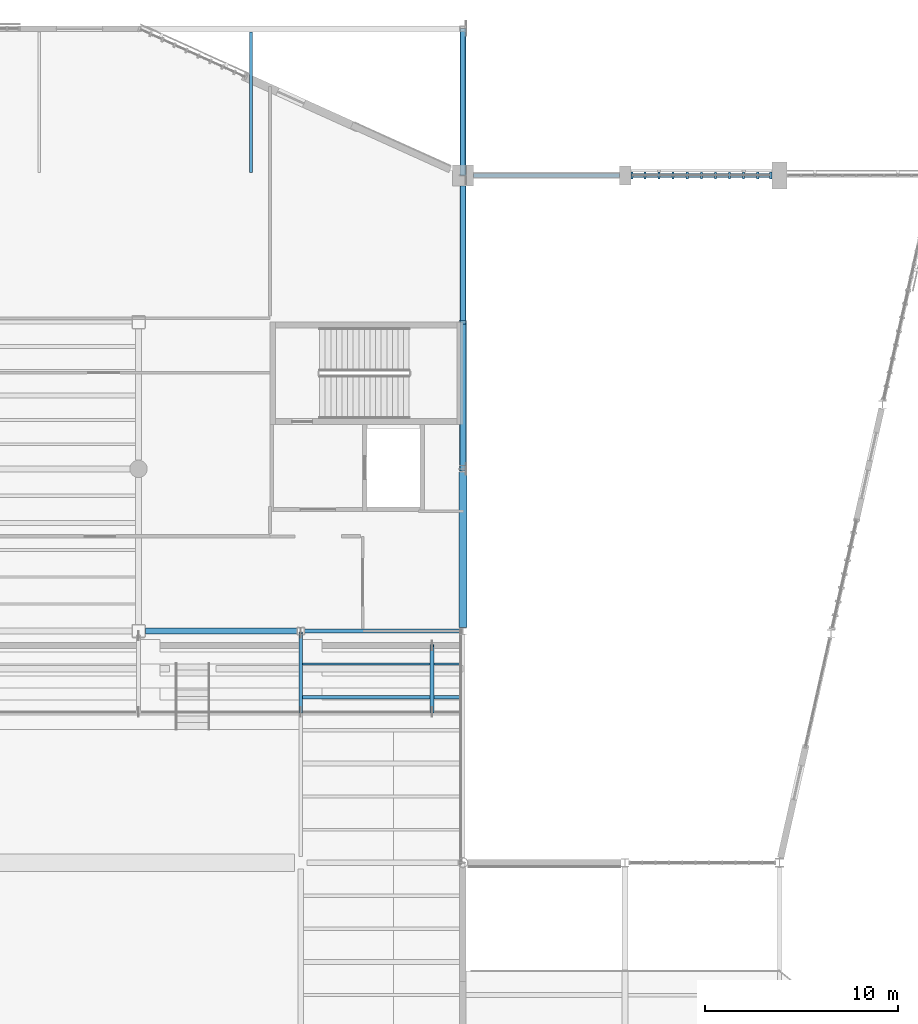
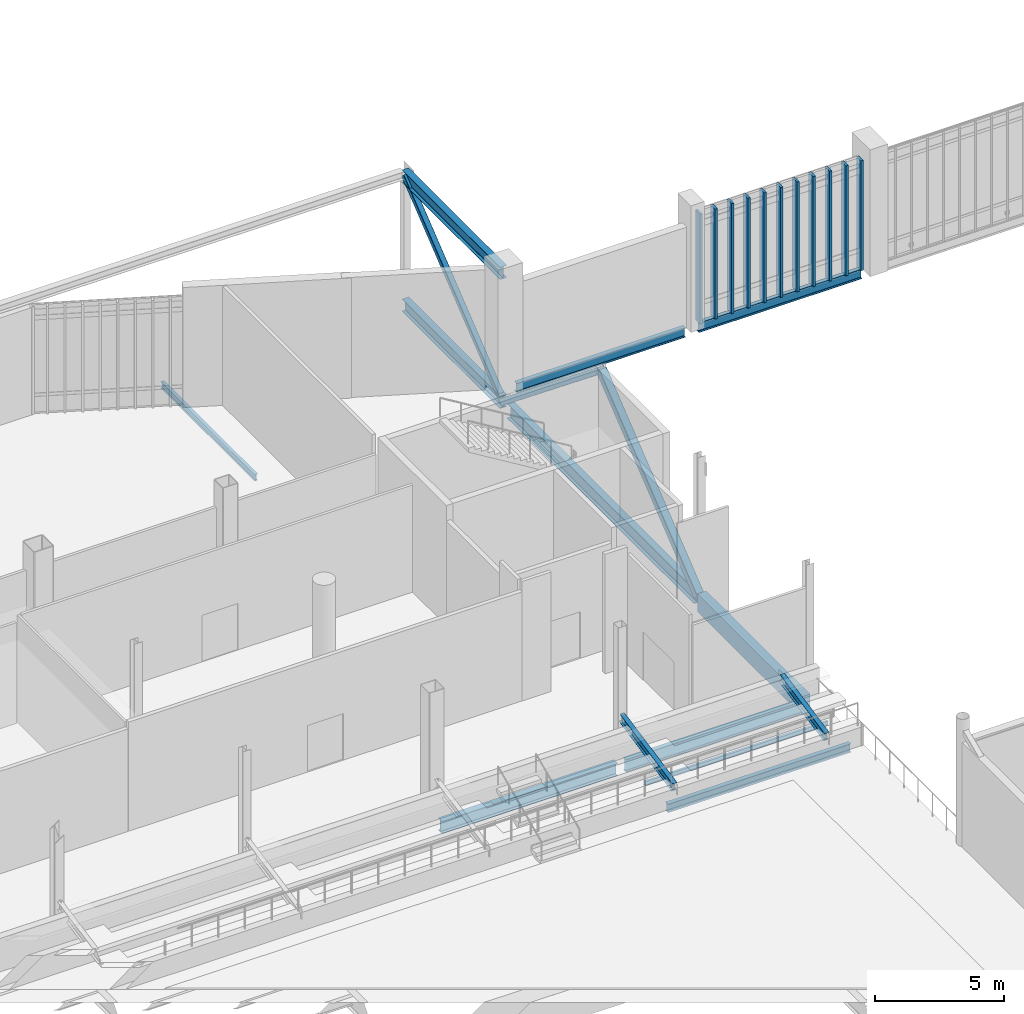
# One storey, part 33 of 135: 16 members, 11 beams, 1 element without a shape of its own.
"""IFC4 building model written with IfcOpenShell, lengths in metres."""

from ifc_helpers import new_model, si_unit, direction, frame, origin, origin_2d, place, context, subcontext, project, spatial, rectangle, hollow_rectangle, i_section, extrude, material, material_profile, profile_set, type_object, element, aggregate, save


model = new_model("IFC4")

# Units and contexts
model_context = context("Model", 3, precision=1e-05, world=origin(), true_north=direction((0.0, 1.0)))
body_context = subcontext(model_context, "Body", "Model", "MODEL_VIEW")
ifc_project = project(units=[si_unit("LENGTHUNIT", "METRE"), si_unit("AREAUNIT", "SQUARE_METRE"), si_unit("VOLUMEUNIT", "CUBIC_METRE"), si_unit("PLANEANGLEUNIT", "RADIAN"), si_unit("MASSUNIT", "GRAM", prefix="KILO")], contexts=[model_context])

# Site, building, storey
site_placement = place(None, origin())
site = spatial("IfcSite", under=ifc_project, at=site_placement, CompositionType="ELEMENT")
building_placement = place(site_placement, origin())
building = spatial("IfcBuilding", under=site, at=building_placement, Name="Larkvane Passage Sports Hall", CompositionType="ELEMENT")
storey_placement = place(building_placement, frame((0.0, 0.0, 10.800048828125)))
storey = spatial("IfcBuildingStorey", under=building, at=storey_placement, Name="L02", CompositionType="ELEMENT", Elevation=10.800048828125)

# Beams
ifc_material_1 = material(Name="Steel S460N", Category="steel")
ifc_material_profile_1 = material_profile(ifc_material_1, i_section(OverallWidth=0.300048828125, OverallDepth=0.587890625, WebThickness=0.011962890625, FlangeThickness=0.02001953125, FilletRadius=0.02197265625, at=origin_2d()), Name="H-588x300x12x20")
ifc_profile_set_1 = profile_set([ifc_material_profile_1], Name="Steel S460N")
beam_type_1 = type_object("IfcBeamType", Name="BM-STL-H588", PredefinedType="BEAM", material=ifc_profile_set_1)
beam_1_placement = place(storey_placement, frame((77.14990234375, 75.60009765625, -0.714111328125), z_axis=(1.0, 0.0, 0.0), x_axis=(0.0, 1.0, 0.0)))
element("IfcBeam", 1, at=beam_1_placement, inside=storey, type_object=beam_type_1, Name="Girder BM5-X-L02-J-0721", PredefinedType="BEAM", context=body_context, shape_type="SweptSolid", body=[
    extrude(i_section(OverallWidth=0.300048828125, OverallDepth=0.587890625, WebThickness=0.011962890625, FlangeThickness=0.02001953125, FilletRadius=0.02197265625, at=origin_2d()), origin(), (0.0, 0.0, 1.0), 7.85009765625),
])
for number, where, z_axis, x_axis, name in (
    (2, (93.60009765625, 99.199951171875, -0.714111328125), (0.0, 1.0, 0.0), (-1.0, 0.0, 0.0), "Cantilever truss CT-N2A-2 bottom chord 3"),
    (3, (93.60009765625, 99.199951171875, 5.385986328125), (0.0, 1.0, 0.0), (-1.0, 0.0, 0.0), "Cantilever truss CT-N2A-2 top chord 3"),
):
    element("IfcBeam", number, at=place(storey_placement, frame(where, z_axis=z_axis, x_axis=x_axis)), inside=storey, type_object=beam_type_1, Name=name, PredefinedType="BEAM", context=body_context, shape_type="SweptSolid", body=[
        extrude(i_section(OverallWidth=0.300048828125, OverallDepth=0.587890625, WebThickness=0.011962890625, FlangeThickness=0.02001953125, FilletRadius=0.02197265625, at=origin_2d()), origin(), (0.0, 0.0, 1.0), 7.60009765625),
    ])
ifc_material_2 = material(Name="Steel S355JR", Category="steel")
ifc_material_profile_2 = material_profile(ifc_material_2, i_section(OverallWidth=0.199951171875, OverallDepth=0.60009765625, WebThickness=0.010986328125, FlangeThickness=0.01708984375, FilletRadius=0.01806640625, at=origin_2d()), Name="H-600x200x11x17")
ifc_profile_set_2 = profile_set([ifc_material_profile_2], Name="Steel S355JR")
beam_type_2 = type_object("IfcBeamType", Name="BM-STL-H600", PredefinedType="BEAM", material=ifc_profile_set_2)
beam_2_placement = place(storey_placement, frame((85.39990234375, 75.60009765625, -0.719970703125), z_axis=(1.0, 0.0, 0.0), x_axis=(0.0, 1.0, 0.0)))
element("IfcBeam", 4, at=beam_2_placement, inside=storey, type_object=beam_type_2, Name="Girder BM5-X-L02-J-0722", PredefinedType="BEAM", context=body_context, shape_type="SweptSolid", body=[
    extrude(i_section(OverallWidth=0.199951171875, OverallDepth=0.60009765625, WebThickness=0.010986328125, FlangeThickness=0.01708984375, FilletRadius=0.01806640625, at=origin_2d()), origin(), (0.0, 0.0, 1.0), 8.025146484375),
])
ifc_material_profile_3 = material_profile(ifc_material_1, i_section(OverallWidth=0.300048828125, OverallDepth=0.699951171875, WebThickness=0.012939453125, FlangeThickness=0.02392578125, FilletRadius=0.02197265625, at=origin_2d()), Name="H-700x300x13x24")
ifc_profile_set_3 = profile_set([ifc_material_profile_3], Name="Steel S460N")
beam_type_3 = type_object("IfcBeamType", Name="BM-STL-H700", PredefinedType="BEAM", material=ifc_profile_set_3)
beam_3_placement = place(storey_placement, frame((93.60009765625, 84.175048828125, -0.77001953125), z_axis=(0.0, 1.0, 0.0), x_axis=(-1.0, 0.0, 0.0)))
element("IfcBeam", 5, at=beam_3_placement, inside=storey, type_object=beam_type_3, Name="Girder BM5-Y-L02-13-0775", PredefinedType="BEAM", context=body_context, shape_type="SweptSolid", body=[
    extrude(i_section(OverallWidth=0.300048828125, OverallDepth=0.699951171875, WebThickness=0.012939453125, FlangeThickness=0.02392578125, FilletRadius=0.02197265625, at=origin_2d()), origin(), (0.0, 0.0, 1.0), 14.474853515625),
])

# Curtain wall, members
ifc_material_3 = material(Name="Thermally broken aluminium and low-E glazing", Category="aluminium")
curtain_wall_type = type_object("IfcCurtainWallType", Name="CW-CLINIC", PredefinedType="USERDEFINED", material=ifc_material_3)
curtain_wall_placement = place(storey_placement, origin())
curtain_wall = element("IfcCurtainWall", 6, at=curtain_wall_placement, inside=storey, type_object=curtain_wall_type, Name="Curtain wall CW5-L02-079", ObjectType="UNITISED CURTAIN WALL", PredefinedType="USERDEFINED")
ifc_material_4 = material(Name="Anodised aluminium 6063-T6", Category="aluminium")
ifc_material_profile_4 = material_profile(ifc_material_4, rectangle(XDim=0.110107421875, YDim=0.360107421875, at=origin_2d()), Name="ALU-MUL-110x360")
ifc_profile_set_4 = profile_set([ifc_material_profile_4], Name="Anodised aluminium 6063-T6")
member_type_1 = type_object("IfcMemberType", Name="CW-MUL-110x360", PredefinedType="MULLION", material=ifc_profile_set_4)
member_1_placement = place(storey_placement, frame((102.35107421875, 99.199951171875, 0.0), z_axis=(0.0, 0.0, 1.0), x_axis=(1.0, 0.0, 0.0)))
member_1 = element("IfcMember", 7, at=member_1_placement, type_object=member_type_1, Name="CW-05 mullion 1", PredefinedType="MULLION", context=body_context, shape_type="SweptSolid", body=[
    extrude(rectangle(XDim=0.110107421875, YDim=0.360107421875, at=origin_2d()), origin(), (0.0, 0.0, 1.0), 5.197998046875),
])
member_2_placement = place(storey_placement, frame((103.02685546875, 99.199951171875, 0.0), z_axis=(0.0, 0.0, 1.0), x_axis=(1.0, 0.0, 0.0)))
member_2 = element("IfcMember", 8, at=member_2_placement, type_object=member_type_1, Name="CW-05 mullion 2", PredefinedType="MULLION", context=body_context, shape_type="SweptSolid", body=[
    extrude(rectangle(XDim=0.110107421875, YDim=0.360107421875, at=origin_2d()), origin(), (0.0, 0.0, 1.0), 5.197998046875),
])
member_3_placement = place(storey_placement, frame((103.757568359375, 99.199951171875, 0.0), z_axis=(0.0, 0.0, 1.0), x_axis=(1.0, 0.0, 0.0)))
member_3 = element("IfcMember", 9, at=member_3_placement, type_object=member_type_1, Name="CW-05 mullion 3", PredefinedType="MULLION", context=body_context, shape_type="SweptSolid", body=[
    extrude(rectangle(XDim=0.110107421875, YDim=0.360107421875, at=origin_2d()), origin(), (0.0, 0.0, 1.0), 5.197998046875),
])
member_4_placement = place(storey_placement, frame((104.48828125, 99.199951171875, 0.0), z_axis=(0.0, 0.0, 1.0), x_axis=(1.0, 0.0, 0.0)))
member_4 = element("IfcMember", 10, at=member_4_placement, type_object=member_type_1, Name="CW-05 mullion 4", PredefinedType="MULLION", context=body_context, shape_type="SweptSolid", body=[
    extrude(rectangle(XDim=0.110107421875, YDim=0.360107421875, at=origin_2d()), origin(), (0.0, 0.0, 1.0), 5.197998046875),
])
member_5_placement = place(storey_placement, frame((105.21923828125, 99.199951171875, 0.0), z_axis=(0.0, 0.0, 1.0), x_axis=(1.0, 0.0, 0.0)))
member_5 = element("IfcMember", 11, at=member_5_placement, type_object=member_type_1, Name="CW-05 mullion 5", PredefinedType="MULLION", context=body_context, shape_type="SweptSolid", body=[
    extrude(rectangle(XDim=0.110107421875, YDim=0.360107421875, at=origin_2d()), origin(), (0.0, 0.0, 1.0), 5.197998046875),
])
member_6_placement = place(storey_placement, frame((105.949951171875, 99.199951171875, 0.0), z_axis=(0.0, 0.0, 1.0), x_axis=(1.0, 0.0, 0.0)))
member_6 = element("IfcMember", 12, at=member_6_placement, type_object=member_type_1, Name="CW-05 mullion 6", PredefinedType="MULLION", context=body_context, shape_type="SweptSolid", body=[
    extrude(rectangle(XDim=0.110107421875, YDim=0.360107421875, at=origin_2d()), origin(), (0.0, 0.0, 1.0), 5.197998046875),
])
member_7_placement = place(storey_placement, frame((106.680908203125, 99.199951171875, 0.0), z_axis=(0.0, 0.0, 1.0), x_axis=(1.0, 0.0, 0.0)))
member_7 = element("IfcMember", 13, at=member_7_placement, type_object=member_type_1, Name="CW-05 mullion 7", PredefinedType="MULLION", context=body_context, shape_type="SweptSolid", body=[
    extrude(rectangle(XDim=0.110107421875, YDim=0.360107421875, at=origin_2d()), origin(), (0.0, 0.0, 1.0), 5.197998046875),
])
member_8_placement = place(storey_placement, frame((107.41162109375, 99.199951171875, 0.0), z_axis=(0.0, 0.0, 1.0), x_axis=(1.0, 0.0, 0.0)))
member_8 = element("IfcMember", 14, at=member_8_placement, type_object=member_type_1, Name="CW-05 mullion 8", PredefinedType="MULLION", context=body_context, shape_type="SweptSolid", body=[
    extrude(rectangle(XDim=0.110107421875, YDim=0.360107421875, at=origin_2d()), origin(), (0.0, 0.0, 1.0), 5.197998046875),
])
member_9_placement = place(storey_placement, frame((108.142333984375, 99.199951171875, 0.0), z_axis=(0.0, 0.0, 1.0), x_axis=(1.0, 0.0, 0.0)))
member_9 = element("IfcMember", 15, at=member_9_placement, type_object=member_type_1, Name="CW-05 mullion 9", PredefinedType="MULLION", context=body_context, shape_type="SweptSolid", body=[
    extrude(rectangle(XDim=0.110107421875, YDim=0.360107421875, at=origin_2d()), origin(), (0.0, 0.0, 1.0), 5.197998046875),
])
member_10_placement = place(storey_placement, frame((108.873291015625, 99.199951171875, 0.0), z_axis=(0.0, 0.0, 1.0), x_axis=(1.0, 0.0, 0.0)))
member_10 = element("IfcMember", 16, at=member_10_placement, type_object=member_type_1, Name="CW-05 mullion 10", PredefinedType="MULLION", context=body_context, shape_type="SweptSolid", body=[
    extrude(rectangle(XDim=0.110107421875, YDim=0.360107421875, at=origin_2d()), origin(), (0.0, 0.0, 1.0), 5.197998046875),
])
member_11_placement = place(storey_placement, frame((109.549072265625, 99.199951171875, 0.0), z_axis=(0.0, 0.0, 1.0), x_axis=(1.0, 0.0, 0.0)))
member_11 = element("IfcMember", 17, at=member_11_placement, type_object=member_type_1, Name="CW-05 mullion 11", PredefinedType="MULLION", context=body_context, shape_type="SweptSolid", body=[
    extrude(rectangle(XDim=0.110107421875, YDim=0.360107421875, at=origin_2d()), origin(), (0.0, 0.0, 1.0), 5.197998046875),
])
aggregate(curtain_wall, [member_1, member_2, member_3, member_4, member_5, member_6, member_7, member_8, member_9, member_10, member_11])

# Beams
ifc_material_profile_5 = material_profile(ifc_material_2, i_section(OverallWidth=0.10009765625, OverallDepth=0.199951171875, WebThickness=0.005615234375, FlangeThickness=0.008056640625, FilletRadius=0.008056640625, at=origin_2d()), Name="H-200x100x5.5x8")
ifc_profile_set_5 = profile_set([ifc_material_profile_5], Name="Steel S355JR")
beam_type_4 = type_object("IfcBeamType", Name="JST-STL-H200", PredefinedType="JOIST", material=ifc_profile_set_5)
beam_4_placement = place(storey_placement, frame((85.300048828125, 73.8857421875, -0.52001953125), z_axis=(1.0, 0.0, 0.0), x_axis=(0.0, 1.0, 0.0)))
element("IfcBeam", 18, at=beam_4_placement, inside=storey, type_object=beam_type_4, Name="Composite joist L02 12/H-6", PredefinedType="JOIST", context=body_context, shape_type="SweptSolid", body=[
    extrude(i_section(OverallWidth=0.10009765625, OverallDepth=0.199951171875, WebThickness=0.005615234375, FlangeThickness=0.008056640625, FilletRadius=0.008056640625, at=origin_2d()), origin(), (0.0, 0.0, 1.0), 8.199951171875),
])
ifc_material_profile_6 = material_profile(ifc_material_2, i_section(OverallWidth=0.14990234375, OverallDepth=0.300048828125, WebThickness=0.006591796875, FlangeThickness=0.009033203125, FilletRadius=0.012939453125, at=origin_2d()), Name="H-300x150x6.5x9")
ifc_profile_set_6 = profile_set([ifc_material_profile_6], Name="Steel S355JR")
beam_type_5 = type_object("IfcBeamType", Name="JST-STL-H300", PredefinedType="JOIST", material=ifc_profile_set_6)
beam_5_placement = place(storey_placement, frame((82.63330078125, 99.360107421875, -0.570068359375), z_axis=(0.0, 1.0, 0.0), x_axis=(-1.0, 0.0, 0.0)))
element("IfcBeam", 19, at=beam_5_placement, inside=storey, type_object=beam_type_5, Name="Cantilever floor joist CT-N2A--3-5", PredefinedType="JOIST", context=body_context, shape_type="SweptSolid", body=[
    extrude(i_section(OverallWidth=0.14990234375, OverallDepth=0.300048828125, WebThickness=0.006591796875, FlangeThickness=0.009033203125, FilletRadius=0.012939453125, at=origin_2d()), origin(), (0.0, 0.0, 1.0), 7.27978515625),
])
ifc_material_profile_7 = material_profile(ifc_material_2, i_section(OverallWidth=0.199951171875, OverallDepth=0.39990234375, WebThickness=0.008056640625, FlangeThickness=0.012939453125, FilletRadius=0.012939453125, at=origin_2d()), Name="H-400x200x8x13")
ifc_profile_set_7 = profile_set([ifc_material_profile_7], Name="Steel S355JR")
beam_type_6 = type_object("IfcBeamType", Name="JST-STL-H400", PredefinedType="JOIST", material=ifc_profile_set_7)
beam_6_placement = place(storey_placement, frame((85.300048828125, 72.17138671875, -0.6201171875), z_axis=(1.0, 0.0, 0.0), x_axis=(0.0, 1.0, 0.0)))
element("IfcBeam", 20, at=beam_6_placement, inside=storey, type_object=beam_type_6, Name="Composite joist L02 12/H-5", PredefinedType="JOIST", context=body_context, shape_type="SweptSolid", body=[
    extrude(i_section(OverallWidth=0.199951171875, OverallDepth=0.39990234375, WebThickness=0.008056640625, FlangeThickness=0.012939453125, FilletRadius=0.012939453125, at=origin_2d()), origin(), (0.0, 0.0, 1.0), 8.199951171875),
])

# Members
ifc_material_profile_8 = material_profile(ifc_material_1, hollow_rectangle(XDim=0.25, YDim=0.25, WallThickness=0.011962890625, InnerFilletRadius=0.011962890625, OuterFilletRadius=0.02392578125, at=origin_2d()), Name="SHS-250x250x12")
ifc_profile_set_8 = profile_set([ifc_material_profile_8], Name="Steel S460N")
member_type_2 = type_object("IfcMemberType", Name="MBR-BR-SHS250", PredefinedType="BRACE", material=ifc_profile_set_8)
member_12_placement = place(storey_placement, frame((93.60009765625, 99.199951171875, -0.714111328125), z_axis=(0.0, 0.779865728691, 0.625946838968), x_axis=(-1.0, 0.0, 0.0)))
element("IfcMember", 21, at=member_12_placement, inside=storey, type_object=member_type_2, Name="Cantilever truss CT-N2A-2 web diagonal 3", PredefinedType="BRACE", context=body_context, shape_type="SweptSolid", body=[
    extrude(hollow_rectangle(XDim=0.25, YDim=0.25, WallThickness=0.011962890625, InnerFilletRadius=0.011962890625, OuterFilletRadius=0.02392578125, at=origin_2d()), origin(), (0.0, 0.0, 1.0), 9.745361328125),
])
ifc_material_profile_9 = material_profile(ifc_material_1, hollow_rectangle(XDim=0.300048828125, YDim=0.300048828125, WallThickness=0.011962890625, InnerFilletRadius=0.011962890625, OuterFilletRadius=0.02392578125, at=origin_2d()), Name="SHS-300x300x12")
ifc_profile_set_9 = profile_set([ifc_material_profile_9], Name="Steel S460N")
member_type_3 = type_object("IfcMemberType", Name="MBR-BR-SHS300", PredefinedType="BRACE", material=ifc_profile_set_9)
member_13_placement = place(storey_placement, frame((93.60009765625, 91.60009765625, 5.385986328125), z_axis=(0.0, 0.779855912831, -0.625959068328), x_axis=(-1.0, 0.0, 0.0)))
element("IfcMember", 22, at=member_13_placement, inside=storey, type_object=member_type_3, Name="Cantilever truss CT-N2A-2 web diagonal 2", PredefinedType="BRACE", context=body_context, shape_type="SweptSolid", body=[
    extrude(hollow_rectangle(XDim=0.300048828125, YDim=0.300048828125, WallThickness=0.011962890625, InnerFilletRadius=0.011962890625, OuterFilletRadius=0.02392578125, at=origin_2d()), origin(), (0.0, 0.0, 1.0), 9.7451171875),
])
ifc_material_profile_10 = material_profile(ifc_material_1, hollow_rectangle(XDim=0.35009765625, YDim=0.35009765625, WallThickness=0.01611328125, InnerFilletRadius=0.01611328125, OuterFilletRadius=0.031982421875, at=origin_2d()), Name="SHS-350x350x16")
ifc_profile_set_10 = profile_set([ifc_material_profile_10], Name="Steel S460N")
member_type_4 = type_object("IfcMemberType", Name="MBR-BR-SHS350", PredefinedType="BRACE", material=ifc_profile_set_10)
member_14_placement = place(storey_placement, frame((93.60009765625, 84.0, -0.714111328125), z_axis=(0.0, 0.779865728691, 0.625946838968), x_axis=(-1.0, 0.0, 0.0)))
element("IfcMember", 23, at=member_14_placement, inside=storey, type_object=member_type_4, Name="Cantilever truss CT-N2A-2 web diagonal 1", PredefinedType="BRACE", context=body_context, shape_type="SweptSolid", body=[
    extrude(hollow_rectangle(XDim=0.35009765625, YDim=0.35009765625, WallThickness=0.01611328125, InnerFilletRadius=0.01611328125, OuterFilletRadius=0.031982421875, at=origin_2d()), origin(), (0.0, 0.0, 1.0), 9.745361328125),
])
ifc_material_profile_11 = material_profile(ifc_material_2, i_section(OverallWidth=0.199951171875, OverallDepth=0.39990234375, WebThickness=0.008056640625, FlangeThickness=0.012939453125, FilletRadius=0.012939453125, at=origin_2d()), Name="H-400x200x8x13")
ifc_profile_set_11 = profile_set([ifc_material_profile_11], Name="Steel S355JR")
member_type_5 = type_object("IfcMemberType", Name="MBR-RF-H400", PredefinedType="RAFTER", material=ifc_profile_set_11)
member_15_placement = place(storey_placement, frame((85.199951171875, 71.39990234375, 0.849853515625), z_axis=(0.0, 0.980024655413, 0.19887602868), x_axis=(-1.0, 0.0, 0.0)))
element("IfcMember", 24, at=member_15_placement, inside=storey, type_object=member_type_5, Name="Arena stand raker N7", PredefinedType="RAFTER", context=body_context, shape_type="SweptSolid", body=[
    extrude(i_section(OverallWidth=0.199951171875, OverallDepth=0.39990234375, WebThickness=0.008056640625, FlangeThickness=0.012939453125, FilletRadius=0.012939453125, at=origin_2d()), origin(), (0.0, 0.0, 1.0), 4.18359375),
])
member_16_placement = place(storey_placement, frame((92.0, 71.39990234375, 0.849853515625), z_axis=(0.0, 0.980021970452, 0.198889259217), x_axis=(-1.0, 0.0, 0.0)))
element("IfcMember", 25, at=member_16_placement, inside=storey, type_object=member_type_5, Name="Arena stand raker N8", PredefinedType="RAFTER", context=body_context, shape_type="SweptSolid", body=[
    extrude(i_section(OverallWidth=0.199951171875, OverallDepth=0.39990234375, WebThickness=0.008056640625, FlangeThickness=0.012939453125, FilletRadius=0.012939453125, at=origin_2d()), origin(), (0.0, 0.0, 1.0), 3.5205078125),
])

# Beams
ifc_material_5 = material(Name="Concrete C40/50", Category="concrete")
ifc_material_profile_12 = material_profile(ifc_material_5, rectangle(XDim=0.39990234375, YDim=0.85009765625, at=origin_2d()), Name="RC-SP-400x850")
ifc_profile_set_12 = profile_set([ifc_material_profile_12], Name="Concrete C40/50")
beam_type_7 = type_object("IfcBeamType", Name="SP-RC-400x850", PredefinedType="SPANDREL", material=ifc_profile_set_12)
beam_7_placement = place(storey_placement, frame((93.60009765625, 75.77490234375, -0.844970703125), z_axis=(0.0, 1.0, 0.0), x_axis=(-1.0, 0.0, 0.0)))
element("IfcBeam", 26, at=beam_7_placement, inside=storey, type_object=beam_type_7, Name="Girder BM5-Y-L02-13-0774", PredefinedType="SPANDREL", context=body_context, shape_type="SweptSolid", body=[
    extrude(rectangle(XDim=0.39990234375, YDim=0.85009765625, at=origin_2d()), origin(), (0.0, 0.0, 1.0), 8.050048828125),
])
ifc_material_profile_13 = material_profile(ifc_material_2, i_section(OverallWidth=0.199951171875, OverallDepth=0.449951171875, WebThickness=0.009033203125, FlangeThickness=0.013916015625, FilletRadius=0.01806640625, at=origin_2d()), Name="H-450x200x9x14")
ifc_profile_set_13 = profile_set([ifc_material_profile_13], Name="Steel S355JR")
beam_type_8 = type_object("IfcBeamType", Name="SP-STL-H450", PredefinedType="SPANDREL", material=ifc_profile_set_13)
beam_8_placement = place(storey_placement, frame((94.159912109375, 99.199951171875, -0.22509765625), z_axis=(1.0, 0.0, 0.0), x_axis=(0.0, 1.0, 0.0)))
element("IfcBeam", 27, at=beam_8_placement, inside=storey, type_object=beam_type_8, Name="Climbing hall L02 spandrel beam BM5-V3-SP-M1", PredefinedType="SPANDREL", context=body_context, shape_type="SweptSolid", body=[
    extrude(i_section(OverallWidth=0.199951171875, OverallDepth=0.449951171875, WebThickness=0.009033203125, FlangeThickness=0.013916015625, FilletRadius=0.01806640625, at=origin_2d()), origin(), (0.0, 0.0, 1.0), 7.5400390625),
])
beam_9_placement = place(storey_placement, frame((102.300048828125, 99.199951171875, -0.22509765625), z_axis=(1.0, 0.0, 0.0), x_axis=(0.0, 1.0, 0.0)))
element("IfcBeam", 28, at=beam_9_placement, inside=storey, type_object=beam_type_8, Name="Climbing hall L02 spandrel beam BM5-V3-SP-M2", PredefinedType="SPANDREL", context=body_context, shape_type="SweptSolid", body=[
    extrude(i_section(OverallWidth=0.199951171875, OverallDepth=0.449951171875, WebThickness=0.009033203125, FlangeThickness=0.013916015625, FilletRadius=0.01806640625, at=origin_2d()), origin(), (0.0, 0.0, 1.0), 7.300048828125),
])

save(model, "model.ifc")
